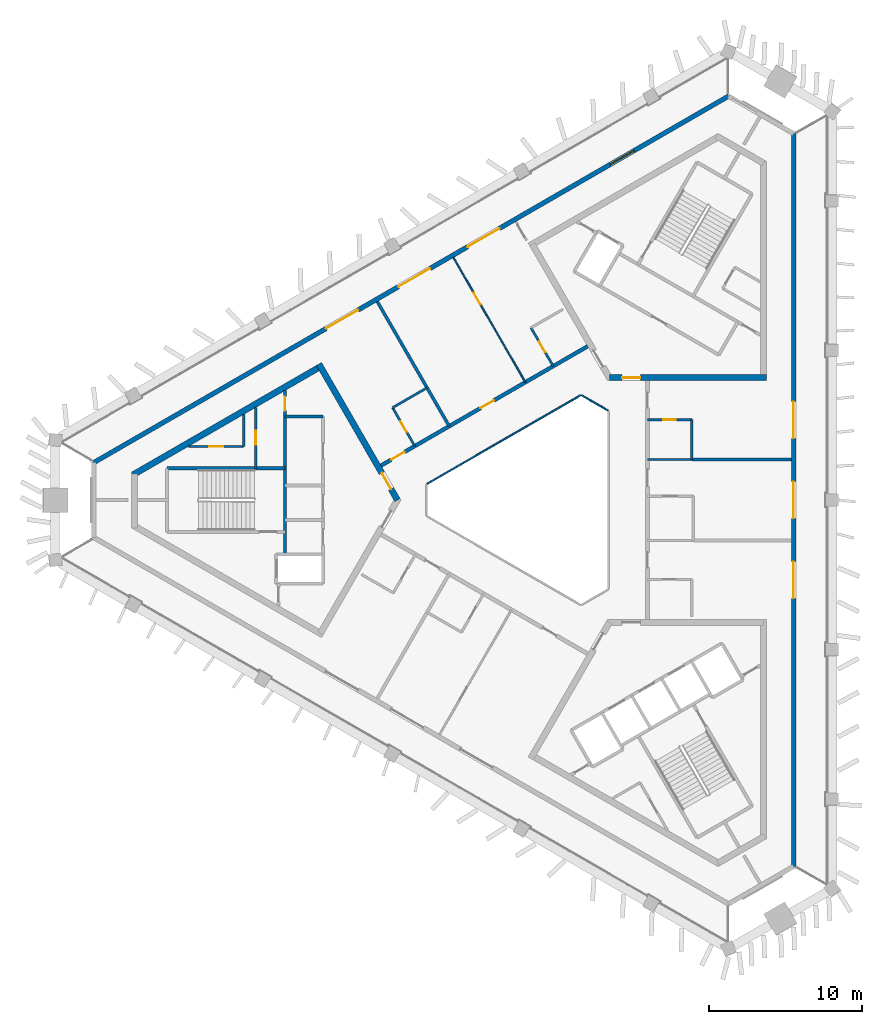
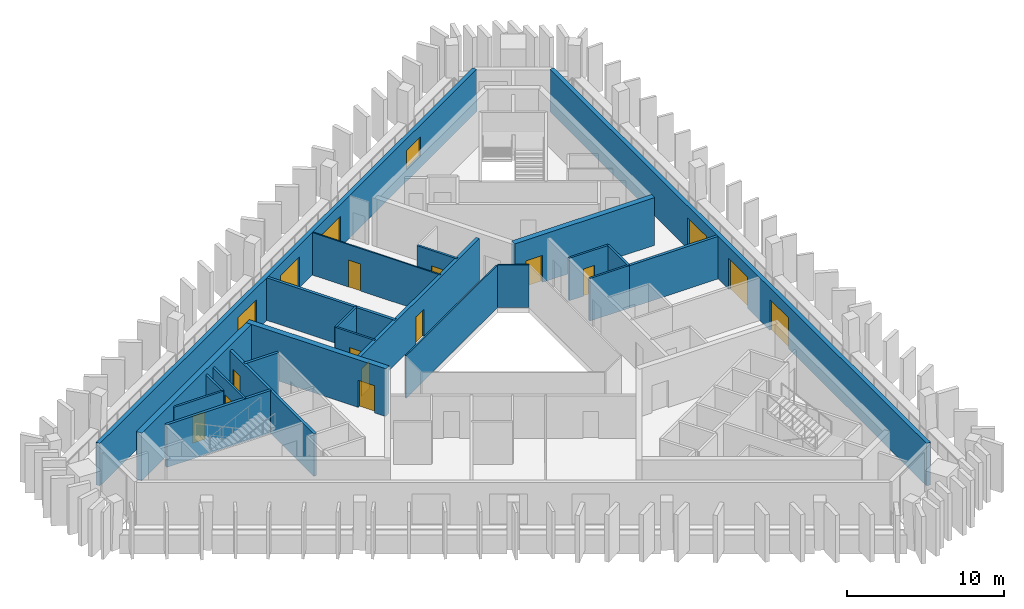
# One storey, part 4 of 9: 23 walls, 17 doors, 1 window, 18 openings.
"""IFC4 building model written with IfcOpenShell, lengths in metres."""

from ifc_helpers import new_model, si_unit, direction, frame, frame_2d, origin, place, context, subcontext, project, spatial, rectangle, extrude, material, layer, layer_set, type_object, element, fill, save


model = new_model("IFC4")

# Units and contexts
model_context = context("Model", 3, precision=1e-05, world=origin(), true_north=direction((0.0, 1.0)))
body_context = subcontext(model_context, "Body", "Model", "MODEL_VIEW")
ifc_project = project(units=[si_unit("LENGTHUNIT", "METRE"), si_unit("AREAUNIT", "SQUARE_METRE"), si_unit("VOLUMEUNIT", "CUBIC_METRE"), si_unit("PLANEANGLEUNIT", "RADIAN"), si_unit("MASSUNIT", "GRAM", prefix="KILO")], contexts=[model_context])

# Site, building, storey
site_placement = place(None, origin())
site = spatial("IfcSite", under=ifc_project, at=site_placement, CompositionType="ELEMENT")
building_placement = place(site_placement, origin())
building = spatial("IfcBuilding", under=site, at=building_placement, Name="Jabali Bay Hotel Tower and Convention Centre", CompositionType="ELEMENT")
storey_placement = place(building_placement, frame((0.0, 0.0, 270.10009765625)))
storey = spatial("IfcBuildingStorey", under=building, at=storey_placement, Name="L66", CompositionType="ELEMENT", Elevation=270.10009765625)

# Walls
ifc_material_1 = material(Name="Fire-resistant glazing", Category="glass")
ifc_layer_1 = layer(ifc_material_1, 0.10009765625)
ifc_layer_set_1 = layer_set([ifc_layer_1], Name="Fire-resistant glazing")
wall_type_1 = type_object("IfcWallType", Name="Atrium glazed screen 100", PredefinedType="PARTITIONING", material=ifc_layer_set_1)
wall_1_placement = place(storey_placement, frame((79.530029296875, 85.84619140625, 0.0), z_axis=(0.0, 0.0, 1.0), x_axis=(-0.866041268327, 0.499972520799, 0.0)))
element("IfcWall", 1, at=wall_1_placement, inside=storey, type_object=wall_type_1, Name="Atrium screen 2 L66", PredefinedType="PARTITIONING", context=body_context, shape_type="SweptSolid", body=[
    extrude(rectangle(XDim=2.0, YDim=0.10009765625, at=frame_2d((1.0, 0.0))), origin(), (0.0, 0.0, 1.0), 3.2998046875),
])
wall_2_placement = place(storey_placement, frame((77.738037109375, 86.84619140625, 0.0), z_axis=(0.0, 0.0, 1.0), x_axis=(-0.866026658274, -0.499997827154, 0.0)))
element("IfcWall", 2, at=wall_2_placement, inside=storey, type_object=wall_type_1, Name="Atrium screen 3 L66", PredefinedType="PARTITIONING", context=body_context, shape_type="SweptSolid", body=[
    extrude(rectangle(XDim=11.58837890625, YDim=0.10009765625, at=frame_2d((5.794189453125, 0.0))), origin(), (0.0, 0.0, 1.0), 3.2998046875),
])

# Wall, opening, door
ifc_material_2 = material(Name="Fire-rated board partition")
ifc_layer_2 = layer(ifc_material_2, 0.14990234375)
ifc_layer_set_2 = layer_set([ifc_layer_2], Name="Fire-rated board partition")
wall_type_2 = type_object("IfcWallType", Name="Core room partition 150", PredefinedType="PARTITIONING", material=ifc_layer_set_2)
wall_3_placement = place(storey_placement, frame((55.719970703125, 83.5, 0.0), z_axis=(0.0, 0.0, 1.0), x_axis=(-1.0, 0.0, 0.0)))
wall_3 = element("IfcWall", 3, at=wall_3_placement, inside=storey, type_object=wall_type_2, Name="Core wall 0.1 L66", PredefinedType="PARTITIONING", context=body_context, shape_type="SweptSolid", body=[
    extrude(rectangle(XDim=3.61767578125, YDim=0.14990234375, at=frame_2d((1.808837890625, 0.0))), origin(), (0.0, 0.0, 1.0), 3.2998046875),
])
opening_1_placement = place(wall_3_placement, frame((1.33154296875, 0.0, 0.0)))
opening_1 = element("IfcOpeningElement", 4, at=opening_1_placement, cuts=wall_3, Name="Opening D1454", PredefinedType="OPENING", context=body_context, shape_type="SweptSolid", body=[
    extrude(rectangle(XDim=0.89990234375, YDim=2.10009765625, at=frame_2d((0.449951171875, 1.050048828125))), frame((0.0, 0.08544921875, 0.0), z_axis=(0.0, -1.0, 0.0), x_axis=(1.0, 0.0, 0.0)), (0.0, 0.0, 1.0), 0.1708984375),
])
ifc_material_3 = material(Name="Fire-rated steel door", Category="steel")
door_type_1 = type_object("IfcDoorType", Name="Core room door 900 x 2100", OperationType="NOTDEFINED", PredefinedType="NOTDEFINED", material=ifc_material_3)
door_1_placement = place(opening_1_placement, origin())
door_1 = element("IfcDoor", 5, at=door_1_placement, inside=storey, type_object=door_type_1, Name="Core room door D1454", OperationType="SINGLE_SWING_LEFT", OverallHeight=2.10009765625, OverallWidth=0.89990234375, PredefinedType="NOTDEFINED", context=body_context, shape_type="SweptSolid", body=[
    extrude(rectangle(XDim=0.89990234375, YDim=2.10009765625, at=frame_2d((0.449951171875, 1.050048828125))), frame((0.0, 0.02490234375, 0.0), z_axis=(0.0, -1.0, 0.0), x_axis=(1.0, 0.0, 0.0)), (0.0, 0.0, 1.0), 0.050048828125),
])
fill(opening_1, door_1)

wall_4_placement = place(storey_placement, frame((56.52001953125, 86.050537109375, 0.0), z_axis=(0.0, 0.0, 1.0), x_axis=(0.0, -1.0, 0.0)))
wall_4 = element("IfcWall", 6, at=wall_4_placement, inside=storey, type_object=wall_type_2, Name="Core wall 0.13 L66", PredefinedType="PARTITIONING", context=body_context, shape_type="SweptSolid", body=[
    extrude(rectangle(XDim=3.9755859375, YDim=0.14990234375, at=frame_2d((1.98779296875, 0.0))), origin(), (0.0, 0.0, 1.0), 3.2998046875),
])
opening_2_placement = place(wall_4_placement, frame((1.537841796875, 0.0, 0.0)))
opening_2 = element("IfcOpeningElement", 7, at=opening_2_placement, cuts=wall_4, Name="Opening D1450", PredefinedType="OPENING", context=body_context, shape_type="SweptSolid", body=[
    extrude(rectangle(XDim=0.89990234375, YDim=2.10009765625, at=frame_2d((0.449951171875, 1.050048828125))), frame((0.0, 0.08544921875, 0.0), z_axis=(0.0, -1.0, 0.0), x_axis=(1.0, 0.0, 0.0)), (0.0, 0.0, 1.0), 0.1708984375),
])
door_2_placement = place(opening_2_placement, origin())
door_2 = element("IfcDoor", 8, at=door_2_placement, inside=storey, type_object=door_type_1, Name="Core room door D1450", OperationType="SINGLE_SWING_RIGHT", OverallHeight=2.10009765625, OverallWidth=0.89990234375, PredefinedType="NOTDEFINED", context=body_context, shape_type="SweptSolid", body=[
    extrude(rectangle(XDim=0.89990234375, YDim=2.10009765625, at=frame_2d((0.449951171875, 1.050048828125))), frame((0.0, 0.02490234375, 0.0), z_axis=(0.0, -1.0, 0.0), x_axis=(1.0, 0.0, 0.0)), (0.0, 0.0, 1.0), 0.050048828125),
])
fill(opening_2, door_2)

# Walls
wall_5_placement = place(storey_placement, frame((55.719970703125, 85.5888671875, 0.0), z_axis=(0.0, 0.0, 1.0), x_axis=(0.0, -1.0, 0.0)))
element("IfcWall", 9, at=wall_5_placement, inside=storey, type_object=wall_type_2, Name="Core wall 0.14 L66", PredefinedType="PARTITIONING", context=body_context, shape_type="SweptSolid", body=[
    extrude(rectangle(XDim=2.0888671875, YDim=0.14990234375, at=frame_2d((1.04443359375, 0.0))), origin(), (0.0, 0.0, 1.0), 3.2998046875),
])
ifc_material_4 = material(Name="Concrete C40", Category="concrete")
ifc_layer_3 = layer(ifc_material_4, 0.199951171875)
ifc_layer_set_3 = layer_set([ifc_layer_3], Name="Concrete C40")
wall_type_3 = type_object("IfcWallType", Name="Core stair wall 200", PredefinedType="SOLIDWALL", material=ifc_layer_set_3)
wall_6_placement = place(storey_placement, frame((60.89990234375, 85.449951171875, 0.0), z_axis=(0.0, 0.0, 1.0), x_axis=(-1.0, 0.0, 0.0)))
element("IfcWall", 10, at=wall_6_placement, inside=storey, type_object=wall_type_3, Name="Core wall 0.0 L66", PredefinedType="SOLIDWALL", context=body_context, shape_type="SweptSolid", body=[
    extrude(rectangle(XDim=2.47998046875, YDim=0.199951171875, at=frame_2d((1.239990234375, 0.0))), origin(), (0.0, 0.0, 1.0), 3.2998046875),
])
wall_7_placement = place(storey_placement, frame((58.419921875, 82.074951171875, 0.0), z_axis=(0.0, 0.0, 1.0), x_axis=(-1.0, 0.0, 0.0)))
element("IfcWall", 11, at=wall_7_placement, inside=storey, type_object=wall_type_3, Name="Core wall 0.2 L66", PredefinedType="SOLIDWALL", context=body_context, shape_type="SweptSolid", body=[
    extrude(rectangle(XDim=7.699951171875, YDim=0.199951171875, at=frame_2d((3.85009765625, 0.0))), origin(), (0.0, 0.0, 1.0), 3.2998046875),
])

# Wall, opening, door
wall_8_placement = place(storey_placement, frame((58.419921875, 87.147705078125, 0.0), z_axis=(0.0, 0.0, 1.0), x_axis=(0.0, -1.0, 0.0)))
wall_8 = element("IfcWall", 12, at=wall_8_placement, inside=storey, type_object=wall_type_3, Name="Core wall 0.10 L66", PredefinedType="SOLIDWALL", context=body_context, shape_type="SweptSolid", body=[
    extrude(rectangle(XDim=10.69775390625, YDim=0.199951171875, at=frame_2d((5.348876953125, 0.0))), origin(), (0.0, 0.0, 1.0), 3.2998046875),
])
opening_3_placement = place(wall_8_placement, frame((0.398681640625, 0.0, 0.0)))
opening_3 = element("IfcOpeningElement", 13, at=opening_3_placement, cuts=wall_8, Name="Opening D1452", PredefinedType="OPENING", context=body_context, shape_type="SweptSolid", body=[
    extrude(rectangle(XDim=0.89990234375, YDim=2.10009765625, at=frame_2d((0.449951171875, 1.050048828125))), frame((0.0, 0.1103515625, 0.0), z_axis=(0.0, -1.0, 0.0), x_axis=(1.0, 0.0, 0.0)), (0.0, 0.0, 1.0), 0.220947265625),
])
door_type_2 = type_object("IfcDoorType", Name="Vestibule fire door 900 x 2100", OperationType="NOTDEFINED", PredefinedType="NOTDEFINED", material=ifc_material_3)
door_3_placement = place(opening_3_placement, origin())
door_3 = element("IfcDoor", 14, at=door_3_placement, inside=storey, type_object=door_type_2, Name="Vestibule fire door D1452", OperationType="SINGLE_SWING_LEFT", OverallHeight=2.10009765625, OverallWidth=0.89990234375, PredefinedType="NOTDEFINED", context=body_context, shape_type="SweptSolid", body=[
    extrude(rectangle(XDim=0.89990234375, YDim=2.10009765625, at=frame_2d((0.449951171875, 1.050048828125))), frame((0.0, 0.02490234375, 0.0), z_axis=(0.0, -1.0, 0.0), x_axis=(1.0, 0.0, 0.0)), (0.0, 0.0, 1.0), 0.050048828125),
])
fill(opening_3, door_3)

ifc_material_5 = material(Name="Concrete C60", Category="concrete")
ifc_layer_4 = layer(ifc_material_5, 0.39990234375)
ifc_layer_set_4 = layer_set([ifc_layer_4], Name="Concrete C60")
wall_type_4 = type_object("IfcWallType", Name="Core wall 400", PredefinedType="SHEAR", material=ifc_layer_set_4)
wall_9_placement = place(storey_placement, frame((65.76904296875, 80.0, 0.0), z_axis=(0.0, 0.0, 1.0), x_axis=(-0.50000177223, 0.866024380585, 0.0)))
wall_9 = element("IfcWall", 15, at=wall_9_placement, inside=storey, type_object=wall_type_4, Name="Core wall 1.1 L66", PredefinedType="SHEAR", context=body_context, shape_type="SweptSolid", body=[
    extrude(rectangle(XDim=10.2646484375, YDim=0.39990234375, at=frame_2d((5.13232421875, 0.0))), origin(), (0.0, 0.0, 1.0), 3.699951171875),
])
opening_4_placement = place(wall_9_placement, frame((0.83447265625, 0.0, 0.0)))
opening_4 = element("IfcOpeningElement", 16, at=opening_4_placement, cuts=wall_9, Name="Opening D1445", PredefinedType="OPENING", context=body_context, shape_type="SweptSolid", body=[
    extrude(rectangle(XDim=1.199951171875, YDim=2.10009765625, at=frame_2d((0.60009765625, 1.050048828125))), frame((0.0, 0.21044921875, 0.0), z_axis=(0.0, -1.0, 0.0), x_axis=(1.0, 0.0, 0.0)), (0.0, 0.0, 1.0), 0.4208984375),
])
door_type_3 = type_object("IfcDoorType", Name="Corridor end fire door 1200 x 2100", OperationType="NOTDEFINED", PredefinedType="NOTDEFINED", material=ifc_material_3)
door_4_placement = place(opening_4_placement, origin())
door_4 = element("IfcDoor", 17, at=door_4_placement, inside=storey, type_object=door_type_3, Name="Corridor end fire door D1445", OperationType="SINGLE_SWING_RIGHT", OverallHeight=2.10009765625, OverallWidth=1.199951171875, PredefinedType="NOTDEFINED", context=body_context, shape_type="SweptSolid", body=[
    extrude(rectangle(XDim=1.199951171875, YDim=2.10009765625, at=frame_2d((0.60009765625, 1.050048828125))), frame((0.0, 0.02490234375, 0.0), z_axis=(0.0, -1.0, 0.0), x_axis=(1.0, 0.0, 0.0)), (0.0, 0.0, 1.0), 0.050048828125),
])
fill(opening_4, door_4)

# Wall
wall_10_placement = place(storey_placement, frame((60.73681640625, 88.716064453125, 0.0), z_axis=(0.0, 0.0, 1.0), x_axis=(-0.866028812667, -0.499994095595, 0.0)))
element("IfcWall", 18, at=wall_10_placement, inside=storey, type_object=wall_type_4, Name="Core wall 1.2 L66", PredefinedType="SHEAR", context=body_context, shape_type="SweptSolid", body=[
    extrude(rectangle(XDim=14.133544921875, YDim=0.39990234375, at=frame_2d((7.06689453125, 0.0))), origin(), (0.0, 0.0, 1.0), 3.699951171875),
])

# Wall, opening, door
wall_11_placement = place(storey_placement, frame((79.615478515625, 87.994140625, 0.0), z_axis=(0.0, 0.0, 1.0), x_axis=(1.0, 0.0, 0.0)))
wall_11 = element("IfcWall", 19, at=wall_11_placement, inside=storey, type_object=wall_type_4, Name="Core wall 2.1 L66", PredefinedType="SHEAR", context=body_context, shape_type="SweptSolid", body=[
    extrude(rectangle(XDim=10.264404296875, YDim=0.39990234375, at=frame_2d((5.13232421875, 0.0))), origin(), (0.0, 0.0, 1.0), 3.699951171875),
])
opening_5_placement = place(wall_11_placement, frame((0.83447265625, 0.0, 0.0)))
opening_5 = element("IfcOpeningElement", 20, at=opening_5_placement, cuts=wall_11, Name="Opening D1455", PredefinedType="OPENING", context=body_context, shape_type="SweptSolid", body=[
    extrude(rectangle(XDim=1.199951171875, YDim=2.10009765625, at=frame_2d((0.60009765625, 1.050048828125))), frame((0.0, 0.21044921875, 0.0), z_axis=(0.0, -1.0, 0.0), x_axis=(1.0, 0.0, 0.0)), (0.0, 0.0, 1.0), 0.4208984375),
])
door_5_placement = place(opening_5_placement, origin())
door_5 = element("IfcDoor", 21, at=door_5_placement, inside=storey, type_object=door_type_3, Name="Corridor end fire door D1455", OperationType="SINGLE_SWING_RIGHT", OverallHeight=2.10009765625, OverallWidth=1.199951171875, PredefinedType="NOTDEFINED", context=body_context, shape_type="SweptSolid", body=[
    extrude(rectangle(XDim=1.199951171875, YDim=2.10009765625, at=frame_2d((0.60009765625, 1.050048828125))), frame((0.0, 0.02490234375, 0.0), z_axis=(0.0, -1.0, 0.0), x_axis=(1.0, 0.0, 0.0)), (0.0, 0.0, 1.0), 0.050048828125),
])
fill(opening_5, door_5)

# Wall, openings, doors
ifc_layer_5 = layer(ifc_material_5, 0.25)
ifc_layer_set_5 = layer_set([ifc_layer_5], Name="Concrete C60")
wall_type_5 = type_object("IfcWallType", Name="Corridor wall 250", PredefinedType="SHEAR", material=ifc_layer_set_5)
wall_12_placement = place(storey_placement, frame((78.199951171875, 90.0458984375, 0.0), z_axis=(0.0, 0.0, 1.0), x_axis=(-0.866026492143, -0.499998114903, 0.0)))
wall_12 = element("IfcWall", 22, at=wall_12_placement, inside=storey, type_object=wall_type_5, Name="Corridor wall 2 L66", PredefinedType="SHEAR", context=body_context, shape_type="SweptSolid", body=[
    extrude(rectangle(XDim=15.58837890625, YDim=0.25, at=frame_2d((7.794189453125, 0.0))), origin(), (0.0, 0.0, 1.0), 3.2998046875),
])
opening_6_placement = place(wall_12_placement, frame((7.072021484375, 0.0, 0.0)))
opening_6 = element("IfcOpeningElement", 23, at=opening_6_placement, cuts=wall_12, Name="Opening 6609", PredefinedType="OPENING", context=body_context, shape_type="SweptSolid", body=[
    extrude(rectangle(XDim=1.0, YDim=2.10009765625, at=frame_2d((0.5, 1.050048828125))), frame((0.0, 0.135498046875, 0.0), z_axis=(0.0, -1.0, 0.0), x_axis=(1.0, 0.0, 0.0)), (0.0, 0.0, 1.0), 0.27099609375),
])
opening_7_placement = place(wall_12_placement, frame((13.81640625, 0.0, 0.0)))
opening_7 = element("IfcOpeningElement", 24, at=opening_7_placement, cuts=wall_12, Name="Opening 6611", PredefinedType="OPENING", context=body_context, shape_type="SweptSolid", body=[
    extrude(rectangle(XDim=1.0, YDim=2.10009765625, at=frame_2d((0.5, 1.050048828125))), frame((0.0, 0.135498046875, 0.0), z_axis=(0.0, -1.0, 0.0), x_axis=(1.0, 0.0, 0.0)), (0.0, 0.0, 1.0), 0.27099609375),
])
ifc_material_6 = material(Name="Timber", Category="wood")
door_type_4 = type_object("IfcDoorType", Name="Guest room door 1000 x 2100", OperationType="NOTDEFINED", PredefinedType="NOTDEFINED", material=ifc_material_6)
door_6_placement = place(opening_6_placement, origin())
door_6 = element("IfcDoor", 25, at=door_6_placement, inside=storey, type_object=door_type_4, Name="Door 6609", OperationType="SINGLE_SWING_LEFT", OverallHeight=2.10009765625, OverallWidth=1.0, PredefinedType="NOTDEFINED", context=body_context, shape_type="SweptSolid", body=[
    extrude(rectangle(XDim=1.0, YDim=2.10009765625, at=frame_2d((0.5, 1.050048828125))), frame((0.0, 0.02490234375, 0.0), z_axis=(0.0, -1.0, 0.0), x_axis=(1.0, 0.0, 0.0)), (0.0, 0.0, 1.0), 0.050048828125),
])
fill(opening_6, door_6)
door_7_placement = place(opening_7_placement, origin())
door_7 = element("IfcDoor", 26, at=door_7_placement, inside=storey, type_object=door_type_4, Name="Door 6611", OperationType="SINGLE_SWING_RIGHT", OverallHeight=2.10009765625, OverallWidth=1.0, PredefinedType="NOTDEFINED", context=body_context, shape_type="SweptSolid", body=[
    extrude(rectangle(XDim=1.0, YDim=2.10009765625, at=frame_2d((0.5, 1.050048828125))), frame((0.0, 0.02490234375, 0.0), z_axis=(0.0, -1.0, 0.0), x_axis=(1.0, 0.0, 0.0)), (0.0, 0.0, 1.0), 0.050048828125),
])
fill(opening_7, door_7)

ifc_layer_6 = layer(ifc_material_4, 0.300048828125)
ifc_layer_set_6 = layer_set([ifc_layer_6], Name="Concrete C40")
wall_type_6 = type_object("IfcWallType", Name="External wall 300", PredefinedType="SOLIDWALL", material=ifc_layer_set_6)
wall_13_placement = place(storey_placement, frame((91.652587890625, 103.944580078125, 0.0), z_axis=(0.0, 0.0, 1.0), x_axis=(0.0, -1.0, 0.0)))
wall_13 = element("IfcWall", 27, at=wall_13_placement, inside=storey, type_object=wall_type_6, Name="External wall east face L66", PredefinedType="SOLIDWALL", context=body_context, shape_type="SweptSolid", body=[
    extrude(rectangle(XDim=47.88916015625, YDim=0.300048828125, at=frame_2d((23.944580078125, 0.0))), origin(), (0.0, 0.0, 1.0), 3.2998046875),
])
opening_8_placement = place(wall_13_placement, frame((22.74462890625, 0.0, 0.0)))
opening_8 = element("IfcOpeningElement", 28, at=opening_8_placement, cuts=wall_13, Name="Opening SD1", PredefinedType="OPENING", context=body_context, shape_type="SweptSolid", body=[
    extrude(rectangle(XDim=2.39990234375, YDim=2.39990234375, at=frame_2d((1.199951171875, 1.199951171875))), frame((0.0, 0.16064453125, 0.0), z_axis=(0.0, -1.0, 0.0), x_axis=(1.0, 0.0, 0.0)), (0.0, 0.0, 1.0), 0.321044921875),
])
opening_9_placement = place(wall_13_placement, frame((27.966796875, 0.0, 0.0)))
opening_9 = element("IfcOpeningElement", 29, at=opening_9_placement, cuts=wall_13, Name="Opening SD1", PredefinedType="OPENING", context=body_context, shape_type="SweptSolid", body=[
    extrude(rectangle(XDim=2.39990234375, YDim=2.39990234375, at=frame_2d((1.199951171875, 1.199951171875))), frame((0.0, 0.16064453125, 0.0), z_axis=(0.0, -1.0, 0.0), x_axis=(1.0, 0.0, 0.0)), (0.0, 0.0, 1.0), 0.321044921875),
])
opening_10_placement = place(wall_13_placement, frame((17.5224609375, 0.0, 0.0)))
opening_10 = element("IfcOpeningElement", 30, at=opening_10_placement, cuts=wall_13, Name="Opening SD1", PredefinedType="OPENING", context=body_context, shape_type="SweptSolid", body=[
    extrude(rectangle(XDim=2.39990234375, YDim=2.39990234375, at=frame_2d((1.199951171875, 1.199951171875))), frame((0.0, 0.16064453125, 0.0), z_axis=(0.0, -1.0, 0.0), x_axis=(1.0, 0.0, 0.0)), (0.0, 0.0, 1.0), 0.321044921875),
])
ifc_material_7 = material(Name="Glass", Category="glass")
door_type_5 = type_object("IfcDoorType", Name="Loggia sliding door 2400 x 2400", OperationType="NOTDEFINED", PredefinedType="NOTDEFINED", material=ifc_material_7)
door_8_placement = place(opening_8_placement, origin())
door_8 = element("IfcDoor", 31, at=door_8_placement, inside=storey, type_object=door_type_5, Name="Loggia sliding door 6602", OperationType="SLIDING_TO_LEFT", OverallHeight=2.39990234375, OverallWidth=2.39990234375, PredefinedType="NOTDEFINED", context=body_context, shape_type="SweptSolid", body=[
    extrude(rectangle(XDim=2.39990234375, YDim=2.39990234375, at=frame_2d((1.199951171875, 1.199951171875))), frame((0.0, 0.02490234375, 0.0), z_axis=(0.0, -1.0, 0.0), x_axis=(1.0, 0.0, 0.0)), (0.0, 0.0, 1.0), 0.050048828125),
])
fill(opening_8, door_8)
door_9_placement = place(opening_9_placement, origin())
door_9 = element("IfcDoor", 32, at=door_9_placement, inside=storey, type_object=door_type_5, Name="Loggia sliding door 6601", OperationType="SLIDING_TO_RIGHT", OverallHeight=2.39990234375, OverallWidth=2.39990234375, PredefinedType="NOTDEFINED", context=body_context, shape_type="SweptSolid", body=[
    extrude(rectangle(XDim=2.39990234375, YDim=2.39990234375, at=frame_2d((1.199951171875, 1.199951171875))), frame((0.0, 0.02490234375, 0.0), z_axis=(0.0, -1.0, 0.0), x_axis=(1.0, 0.0, 0.0)), (0.0, 0.0, 1.0), 0.050048828125),
])
fill(opening_9, door_9)
door_10_placement = place(opening_10_placement, origin())
door_10 = element("IfcDoor", 33, at=door_10_placement, inside=storey, type_object=door_type_5, Name="Loggia sliding door 6603", OperationType="SLIDING_TO_LEFT", OverallHeight=2.39990234375, OverallWidth=2.39990234375, PredefinedType="NOTDEFINED", context=body_context, shape_type="SweptSolid", body=[
    extrude(rectangle(XDim=2.39990234375, YDim=2.39990234375, at=frame_2d((1.199951171875, 1.199951171875))), frame((0.0, 0.02490234375, 0.0), z_axis=(0.0, -1.0, 0.0), x_axis=(1.0, 0.0, 0.0)), (0.0, 0.0, 1.0), 0.050048828125),
])
fill(opening_10, door_10)

# Wall, openings, doors, window
wall_14_placement = place(storey_placement, frame((45.93701171875, 82.44921875, 0.0), z_axis=(0.0, 0.0, 1.0), x_axis=(0.866026235966, 0.499998558616, 0.0)))
wall_14 = element("IfcWall", 34, at=wall_14_placement, inside=storey, type_object=wall_type_6, Name="External wall north-west face L66", PredefinedType="SOLIDWALL", context=body_context, shape_type="SweptSolid", body=[
    extrude(rectangle(XDim=47.889404296875, YDim=0.300048828125, at=frame_2d((23.94482421875, 0.0))), origin(), (0.0, 0.0, 1.0), 3.2998046875),
])
opening_11_placement = place(wall_14_placement, frame((38.957275390625, 0.0, 0.89990234375)))
opening_11 = element("IfcOpeningElement", 35, at=opening_11_placement, cuts=wall_14, Name="Opening W1", PredefinedType="OPENING", context=body_context, shape_type="SweptSolid", body=[
    extrude(rectangle(XDim=1.800048828125, YDim=1.5, at=frame_2d((0.89990234375, 0.75))), frame((0.0, 0.16064453125, 0.0), z_axis=(0.0, -1.0, 0.0), x_axis=(1.0, 0.0, 0.0)), (0.0, 0.0, 1.0), 0.321044921875),
])
opening_12_placement = place(wall_14_placement, frame((28.188720703125, 0.0, 0.0)))
opening_12 = element("IfcOpeningElement", 36, at=opening_12_placement, cuts=wall_14, Name="Opening SD1", PredefinedType="OPENING", context=body_context, shape_type="SweptSolid", body=[
    extrude(rectangle(XDim=2.39990234375, YDim=2.39990234375, at=frame_2d((1.199951171875, 1.199951171875))), frame((0.0, 0.16064453125, 0.0), z_axis=(0.0, -1.0, 0.0), x_axis=(1.0, 0.0, 0.0)), (0.0, 0.0, 1.0), 0.321044921875),
])
opening_13_placement = place(wall_14_placement, frame((22.966796875, 0.0, 0.0)))
opening_13 = element("IfcOpeningElement", 37, at=opening_13_placement, cuts=wall_14, Name="Opening SD1", PredefinedType="OPENING", context=body_context, shape_type="SweptSolid", body=[
    extrude(rectangle(XDim=2.39990234375, YDim=2.39990234375, at=frame_2d((1.199951171875, 1.199951171875))), frame((0.0, 0.16064453125, 0.0), z_axis=(0.0, -1.0, 0.0), x_axis=(1.0, 0.0, 0.0)), (0.0, 0.0, 1.0), 0.321044921875),
])
opening_14_placement = place(wall_14_placement, frame((17.5224609375, 0.0, 0.0)))
opening_14 = element("IfcOpeningElement", 38, at=opening_14_placement, cuts=wall_14, Name="Opening SD1", PredefinedType="OPENING", context=body_context, shape_type="SweptSolid", body=[
    extrude(rectangle(XDim=2.39990234375, YDim=2.39990234375, at=frame_2d((1.199951171875, 1.199951171875))), frame((0.0, 0.16064453125, 0.0), z_axis=(0.0, -1.0, 0.0), x_axis=(1.0, 0.0, 0.0)), (0.0, 0.0, 1.0), 0.321044921875),
])
door_11_placement = place(opening_12_placement, origin())
door_11 = element("IfcDoor", 39, at=door_11_placement, inside=storey, type_object=door_type_5, Name="Loggia sliding door 6604", OperationType="SLIDING_TO_LEFT", OverallHeight=2.39990234375, OverallWidth=2.39990234375, PredefinedType="NOTDEFINED", context=body_context, shape_type="SweptSolid", body=[
    extrude(rectangle(XDim=2.39990234375, YDim=2.39990234375, at=frame_2d((1.199951171875, 1.199951171875))), frame((0.0, 0.02490234375, 0.0), z_axis=(0.0, -1.0, 0.0), x_axis=(1.0, 0.0, 0.0)), (0.0, 0.0, 1.0), 0.050048828125),
])
fill(opening_12, door_11)
door_12_placement = place(opening_13_placement, origin())
door_12 = element("IfcDoor", 40, at=door_12_placement, inside=storey, type_object=door_type_5, Name="Loggia sliding door 6604", OperationType="SLIDING_TO_RIGHT", OverallHeight=2.39990234375, OverallWidth=2.39990234375, PredefinedType="NOTDEFINED", context=body_context, shape_type="SweptSolid", body=[
    extrude(rectangle(XDim=2.39990234375, YDim=2.39990234375, at=frame_2d((1.199951171875, 1.199951171875))), frame((0.0, 0.02490234375, 0.0), z_axis=(0.0, -1.0, 0.0), x_axis=(1.0, 0.0, 0.0)), (0.0, 0.0, 1.0), 0.050048828125),
])
fill(opening_13, door_12)
door_13_placement = place(opening_14_placement, origin())
door_13 = element("IfcDoor", 41, at=door_13_placement, inside=storey, type_object=door_type_5, Name="Loggia sliding door 6605", OperationType="SLIDING_TO_LEFT", OverallHeight=2.39990234375, OverallWidth=2.39990234375, PredefinedType="NOTDEFINED", context=body_context, shape_type="SweptSolid", body=[
    extrude(rectangle(XDim=2.39990234375, YDim=2.39990234375, at=frame_2d((1.199951171875, 1.199951171875))), frame((0.0, 0.02490234375, 0.0), z_axis=(0.0, -1.0, 0.0), x_axis=(1.0, 0.0, 0.0)), (0.0, 0.0, 1.0), 0.050048828125),
])
fill(opening_14, door_13)
window_type = type_object("IfcWindowType", Name="Window 1800 x 1500", PartitioningType="SINGLE_PANEL", PredefinedType="WINDOW", material=ifc_material_7)
window_placement = place(opening_11_placement, origin())
window = element("IfcWindow", 42, at=window_placement, inside=storey, type_object=window_type, Name="Window", OverallHeight=1.5, OverallWidth=1.800048828125, PartitioningType="SINGLE_PANEL", PredefinedType="WINDOW", context=body_context, shape_type="SweptSolid", body=[
    extrude(rectangle(XDim=1.800048828125, YDim=1.5, at=frame_2d((0.89990234375, 0.75))), frame((0.0, 0.030029296875, 0.0), z_axis=(0.0, -1.0, 0.0), x_axis=(1.0, 0.0, 0.0)), (0.0, 0.0, 1.0), 0.06005859375),
])
fill(opening_11, window)

# Wall, opening, door
ifc_material_8 = material(Name="Plasterboard on steel stud", Category="steel")
ifc_layer_7 = layer(ifc_material_8, 0.10009765625)
ifc_layer_set_7 = layer_set([ifc_layer_7], Name="Plasterboard on steel stud")
wall_type_7 = type_object("IfcWallType", Name="Partition 100 unit", PredefinedType="PARTITIONING", material=ifc_layer_set_7)
wall_15_placement = place(storey_placement, frame((69.427978515625, 95.839599609375, 0.0), z_axis=(0.0, 0.0, 1.0), x_axis=(0.499998138849, -0.866026478318, 0.0)))
wall_15 = element("IfcWall", 43, at=wall_15_placement, inside=storey, type_object=wall_type_7, Name="Partition P02 L66 013", PredefinedType="PARTITIONING", context=body_context, shape_type="SweptSolid", body=[
    extrude(rectangle(XDim=9.4033203125, YDim=0.10009765625, at=frame_2d((4.70166015625, 0.0))), origin(), (0.0, 0.0, 1.0), 3.2998046875),
])
opening_15_placement = place(wall_15_placement, frame((2.652099609375, 0.0, 0.0)))
opening_15 = element("IfcOpeningElement", 44, at=opening_15_placement, cuts=wall_15, Name="Opening 6608", PredefinedType="OPENING", context=body_context, shape_type="SweptSolid", body=[
    extrude(rectangle(XDim=0.89990234375, YDim=2.10009765625, at=frame_2d((0.449951171875, 1.050048828125))), frame((0.0, 0.060546875, 0.0), z_axis=(0.0, -1.0, 0.0), x_axis=(1.0, 0.0, 0.0)), (0.0, 0.0, 1.0), 0.12109375),
])
door_type_6 = type_object("IfcDoorType", Name="Internal door 900 x 2100", OperationType="NOTDEFINED", PredefinedType="NOTDEFINED", material=ifc_material_6)
door_14_placement = place(opening_15_placement, origin())
door_14 = element("IfcDoor", 45, at=door_14_placement, inside=storey, type_object=door_type_6, Name="Door 6608", OperationType="SINGLE_SWING_RIGHT", OverallHeight=2.10009765625, OverallWidth=0.89990234375, PredefinedType="NOTDEFINED", context=body_context, shape_type="SweptSolid", body=[
    extrude(rectangle(XDim=0.89990234375, YDim=2.10009765625, at=frame_2d((0.449951171875, 1.050048828125))), frame((0.0, 0.02490234375, 0.0), z_axis=(0.0, -1.0, 0.0), x_axis=(1.0, 0.0, 0.0)), (0.0, 0.0, 1.0), 0.050048828125),
])
fill(opening_15, door_14)

# Wall
ifc_layer_8 = layer(ifc_material_8, 0.14990234375)
ifc_layer_set_8 = layer_set([ifc_layer_8], Name="Plasterboard on steel stud")
wall_type_8 = type_object("IfcWallType", Name="Partition 150 wet", PredefinedType="PARTITIONING", material=ifc_layer_set_8)
wall_16_placement = place(storey_placement, frame((85.0, 82.650146484375, 0.0), z_axis=(0.0, 0.0, 1.0), x_axis=(-1.0, 0.0, 0.0)))
element("IfcWall", 46, at=wall_16_placement, inside=storey, type_object=wall_type_8, Name="Partition P03 L66 009", PredefinedType="PARTITIONING", context=body_context, shape_type="SweptSolid", body=[
    extrude(rectangle(XDim=2.89990234375, YDim=0.14990234375, at=frame_2d((1.449951171875, 0.0))), origin(), (0.0, 0.0, 1.0), 3.2998046875),
])

# Wall, opening, door
wall_17_placement = place(storey_placement, frame((82.10009765625, 85.25, 0.0), z_axis=(0.0, 0.0, 1.0), x_axis=(1.0, 0.0, 0.0)))
wall_17 = element("IfcWall", 47, at=wall_17_placement, inside=storey, type_object=wall_type_8, Name="Partition P03 L66 010", PredefinedType="PARTITIONING", context=body_context, shape_type="SweptSolid", body=[
    extrude(rectangle(XDim=2.89990234375, YDim=0.14990234375, at=frame_2d((1.449951171875, 0.0))), origin(), (0.0, 0.0, 1.0), 3.2998046875),
])
opening_16_placement = place(wall_17_placement, frame((1.050048828125, 0.0, 0.0)))
opening_16 = element("IfcOpeningElement", 48, at=opening_16_placement, cuts=wall_17, Name="Opening 6605", PredefinedType="OPENING", context=body_context, shape_type="SweptSolid", body=[
    extrude(rectangle(XDim=0.800048828125, YDim=2.10009765625, at=frame_2d((0.39990234375, 1.050048828125))), frame((0.0, 0.08544921875, 0.0), z_axis=(0.0, -1.0, 0.0), x_axis=(1.0, 0.0, 0.0)), (0.0, 0.0, 1.0), 0.1708984375),
])
door_type_7 = type_object("IfcDoorType", Name="En-suite door 800 x 2100", OperationType="NOTDEFINED", PredefinedType="NOTDEFINED", material=ifc_material_6)
door_15_placement = place(opening_16_placement, origin())
door_15 = element("IfcDoor", 49, at=door_15_placement, inside=storey, type_object=door_type_7, Name="Door 6605", OperationType="SINGLE_SWING_RIGHT", OverallHeight=2.10009765625, OverallWidth=0.800048828125, PredefinedType="NOTDEFINED", context=body_context, shape_type="SweptSolid", body=[
    extrude(rectangle(XDim=0.800048828125, YDim=2.10009765625, at=frame_2d((0.39990234375, 1.050048828125))), frame((0.0, 0.02490234375, 0.0), z_axis=(0.0, -1.0, 0.0), x_axis=(1.0, 0.0, 0.0)), (0.0, 0.0, 1.0), 0.050048828125),
])
fill(opening_16, door_15)

# Wall
wall_18_placement = place(storey_placement, frame((85.0, 85.25, 0.0), z_axis=(0.0, 0.0, 1.0), x_axis=(0.0, -1.0, 0.0)))
element("IfcWall", 50, at=wall_18_placement, inside=storey, type_object=wall_type_8, Name="Partition P03 L66 011", PredefinedType="PARTITIONING", context=body_context, shape_type="SweptSolid", body=[
    extrude(rectangle(XDim=2.599853515625, YDim=0.14990234375, at=frame_2d((1.2998046875, 0.0))), origin(), (0.0, 0.0, 1.0), 3.2998046875),
])

# Wall, opening, door
wall_19_placement = place(storey_placement, frame((75.9482421875, 88.745849609375, 0.0), z_axis=(0.0, 0.0, 1.0), x_axis=(-0.499987231761, 0.866032775405, 0.0)))
wall_19 = element("IfcWall", 51, at=wall_19_placement, inside=storey, type_object=wall_type_8, Name="Partition P03 L66 014", PredefinedType="PARTITIONING", context=body_context, shape_type="SweptSolid", body=[
    extrude(rectangle(XDim=2.89990234375, YDim=0.14990234375, at=frame_2d((1.449951171875, 0.0))), origin(), (0.0, 0.0, 1.0), 3.2998046875),
])
opening_17_placement = place(wall_19_placement, frame((1.050048828125, 0.0, 0.0)))
opening_17 = element("IfcOpeningElement", 52, at=opening_17_placement, cuts=wall_19, Name="Opening 6607", PredefinedType="OPENING", context=body_context, shape_type="SweptSolid", body=[
    extrude(rectangle(XDim=0.800048828125, YDim=2.10009765625, at=frame_2d((0.39990234375, 1.050048828125))), frame((0.0, 0.08544921875, 0.0), z_axis=(0.0, -1.0, 0.0), x_axis=(1.0, 0.0, 0.0)), (0.0, 0.0, 1.0), 0.1708984375),
])
door_16_placement = place(opening_17_placement, origin())
door_16 = element("IfcDoor", 53, at=door_16_placement, inside=storey, type_object=door_type_7, Name="Door 6607", OperationType="SINGLE_SWING_RIGHT", OverallHeight=2.10009765625, OverallWidth=0.800048828125, PredefinedType="NOTDEFINED", context=body_context, shape_type="SweptSolid", body=[
    extrude(rectangle(XDim=0.800048828125, YDim=2.10009765625, at=frame_2d((0.39990234375, 1.050048828125))), frame((0.0, 0.02490234375, 0.0), z_axis=(0.0, -1.0, 0.0), x_axis=(1.0, 0.0, 0.0)), (0.0, 0.0, 1.0), 0.050048828125),
])
fill(opening_17, door_16)

wall_20_placement = place(storey_placement, frame((66.9033203125, 83.523681640625, 0.0), z_axis=(0.0, 0.0, 1.0), x_axis=(-0.499987231761, 0.866032775405, 0.0)))
wall_20 = element("IfcWall", 54, at=wall_20_placement, inside=storey, type_object=wall_type_8, Name="Partition P03 L66 018", PredefinedType="PARTITIONING", context=body_context, shape_type="SweptSolid", body=[
    extrude(rectangle(XDim=2.89990234375, YDim=0.14990234375, at=frame_2d((1.449951171875, 0.0))), origin(), (0.0, 0.0, 1.0), 3.2998046875),
])
opening_18_placement = place(wall_20_placement, frame((1.050048828125, 0.0, 0.0)))
opening_18 = element("IfcOpeningElement", 55, at=opening_18_placement, cuts=wall_20, Name="Opening 6610", PredefinedType="OPENING", context=body_context, shape_type="SweptSolid", body=[
    extrude(rectangle(XDim=0.800048828125, YDim=2.10009765625, at=frame_2d((0.39990234375, 1.050048828125))), frame((0.0, 0.08544921875, 0.0), z_axis=(0.0, -1.0, 0.0), x_axis=(1.0, 0.0, 0.0)), (0.0, 0.0, 1.0), 0.1708984375),
])
door_17_placement = place(opening_18_placement, origin())
door_17 = element("IfcDoor", 56, at=door_17_placement, inside=storey, type_object=door_type_7, Name="Door 6610", OperationType="SINGLE_SWING_LEFT", OverallHeight=2.10009765625, OverallWidth=0.800048828125, PredefinedType="NOTDEFINED", context=body_context, shape_type="SweptSolid", body=[
    extrude(rectangle(XDim=0.800048828125, YDim=2.10009765625, at=frame_2d((0.39990234375, 1.050048828125))), frame((0.0, 0.02490234375, 0.0), z_axis=(0.0, -1.0, 0.0), x_axis=(1.0, 0.0, 0.0)), (0.0, 0.0, 1.0), 0.050048828125),
])
fill(opening_18, door_17)

# Walls
wall_21_placement = place(storey_placement, frame((65.453369140625, 86.03515625, 0.0), z_axis=(0.0, 0.0, 1.0), x_axis=(0.866021400173, 0.500006934395, 0.0)))
element("IfcWall", 57, at=wall_21_placement, inside=storey, type_object=wall_type_8, Name="Partition P03 L66 019", PredefinedType="PARTITIONING", context=body_context, shape_type="SweptSolid", body=[
    extrude(rectangle(XDim=2.60009765625, YDim=0.14990234375, at=frame_2d((1.300048828125, 0.0))), origin(), (0.0, 0.0, 1.0), 3.2998046875),
])
ifc_layer_9 = layer(ifc_material_8, 0.199951171875)
ifc_layer_set_9 = layer_set([ifc_layer_9], Name="Plasterboard on steel stud")
wall_type_9 = type_object("IfcWallType", Name="Partition 200 party", PredefinedType="PARTITIONING", material=ifc_layer_set_9)
wall_22_placement = place(storey_placement, frame((91.503662109375, 82.650146484375, 0.0), z_axis=(0.0, 0.0, 1.0), x_axis=(-1.0, 0.0, 0.0)))
element("IfcWall", 58, at=wall_22_placement, inside=storey, type_object=wall_type_9, Name="Partition P01 L66 008", PredefinedType="PARTITIONING", context=body_context, shape_type="SweptSolid", body=[
    extrude(rectangle(XDim=6.503662109375, YDim=0.199951171875, at=frame_2d((3.251953125, 0.0))), origin(), (0.0, 0.0, 1.0), 3.2998046875),
])
wall_23_placement = place(storey_placement, frame((64.453125, 92.967529296875, 0.0), z_axis=(0.0, 0.0, 1.0), x_axis=(0.500006368596, -0.866021726843, 0.0)))
element("IfcWall", 59, at=wall_23_placement, inside=storey, type_object=wall_type_9, Name="Partition P01 L66 017", PredefinedType="PARTITIONING", context=body_context, shape_type="SweptSolid", body=[
    extrude(rectangle(XDim=9.40380859375, YDim=0.199951171875, at=frame_2d((4.701904296875, 0.0))), origin(), (0.0, 0.0, 1.0), 3.2998046875),
])

save(model, "model.ifc")
